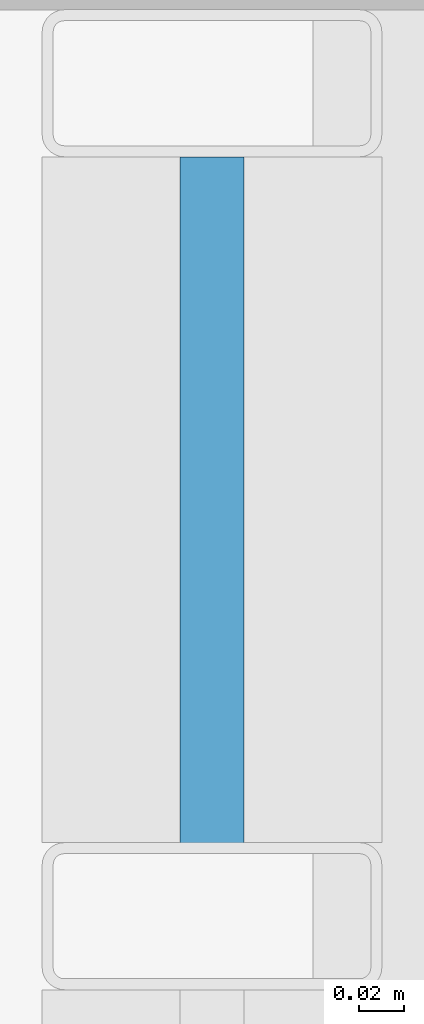
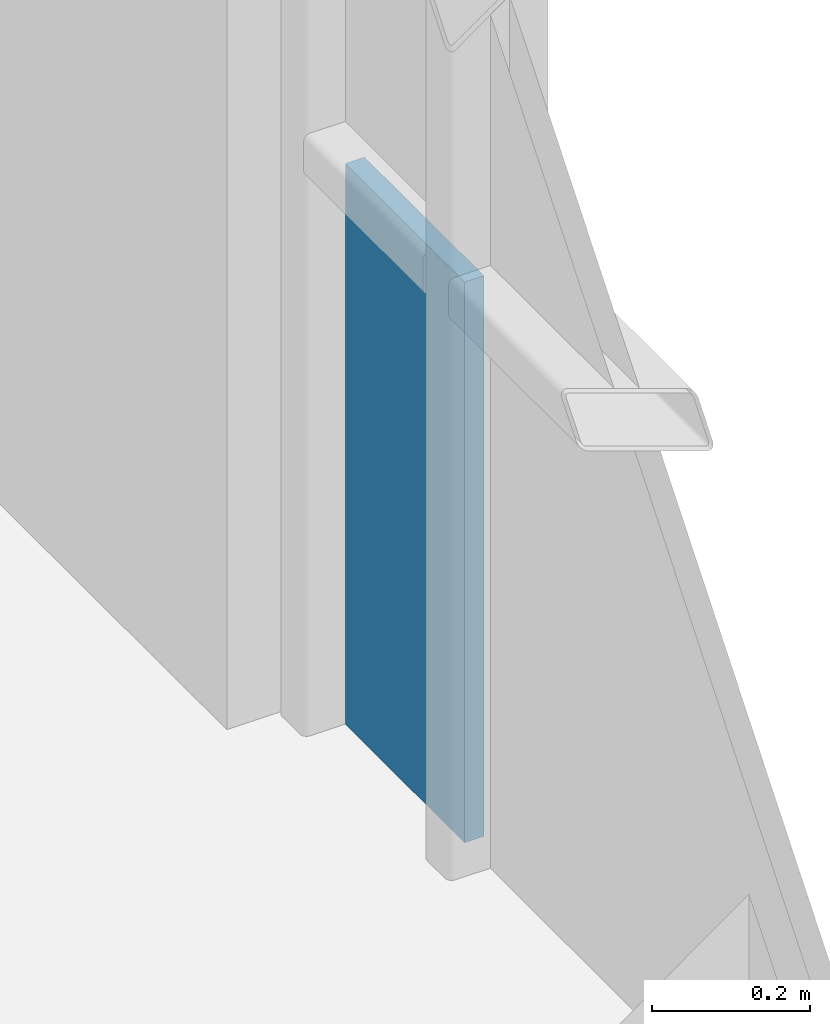
# One storey, part 30 of 40: 1 plate, 1 element without a shape of its own.
"""IFC4 building model written with IfcOpenShell, lengths in metres."""

from ifc_helpers import new_model, si_unit, direction, frame, origin, origin_2d, place, context, subcontext, project, spatial, rectangle, extrude, material, layer, layer_set, type_object, element, aggregate, save


model = new_model("IFC4")

# Units and contexts
model_context = context("Model", 3, precision=1e-05, world=origin(), true_north=direction((0.0, 1.0)))
body_context = subcontext(model_context, "Body", "Model", "MODEL_VIEW")
ifc_project = project(units=[si_unit("LENGTHUNIT", "METRE"), si_unit("AREAUNIT", "SQUARE_METRE"), si_unit("VOLUMEUNIT", "CUBIC_METRE"), si_unit("PLANEANGLEUNIT", "RADIAN"), si_unit("MASSUNIT", "GRAM", prefix="KILO")], contexts=[model_context])

# Site, building, storey
site_placement = place(None, origin())
site = spatial("IfcSite", under=ifc_project, at=site_placement, CompositionType="ELEMENT")
building_placement = place(site_placement, origin())
building = spatial("IfcBuilding", under=site, at=building_placement, Name="Brevholm Reach", CompositionType="ELEMENT")
storey_placement = place(building_placement, frame((0.0, 0.0, 80.699951171875)))
storey = spatial("IfcBuildingStorey", under=building, at=storey_placement, Name="L23", CompositionType="ELEMENT", Elevation=80.699951171875)

# Curtain wall, plate
ifc_material_1 = material(Name="Dark Anodised Aluminium 6063-T6 and Solar-Control Glass", Category="aluminium")
ifc_layer_1 = layer(ifc_material_1, 0.14990234375)
ifc_layer_set_1 = layer_set([ifc_layer_1], Name="Dark Anodised Aluminium 6063-T6 and Solar-Control Glass")
curtain_wall_type = type_object("IfcCurtainWallType", Name="CW-01", PredefinedType="NOTDEFINED", material=ifc_layer_set_1)
curtain_wall_placement = place(storey_placement, origin())
curtain_wall = element("IfcCurtainWall", 1, at=curtain_wall_placement, inside=storey, type_object=curtain_wall_type, Name="L23 Curtain Wall CW-01", PredefinedType="NOTDEFINED")
ifc_material_2 = material(Name="Dark Solar-Control Double-Glazed IGU Glass", Category="glass")
ifc_layer_2 = layer(ifc_material_2, 0.028076171875)
ifc_layer_set_2 = layer_set([ifc_layer_2], Name="Dark Solar-Control Double-Glazed IGU Glass")
plate_type = type_object("IfcPlateType", Name="CWP-GLZ-28", PredefinedType="CURTAIN_PANEL", material=ifc_layer_set_2)
plate_placement = place(storey_placement, frame((59.85009765625, 22.733642578125, 0.0), z_axis=(0.0, 0.0, 1.0), x_axis=(0.0, 1.0, 0.0)))
plate = element("IfcPlate", 2, at=plate_placement, type_object=plate_type, Name="CP-01 Glazing Panel 5.1", PredefinedType="CURTAIN_PANEL", context=body_context, shape_type="SweptSolid", body=[
    extrude(rectangle(XDim=0.302490234375, YDim=0.028076171875, at=origin_2d()), origin(), (0.0, 0.0, 1.0), 0.867431640625),
])
aggregate(curtain_wall, [plate])

save(model, "model.ifc")
